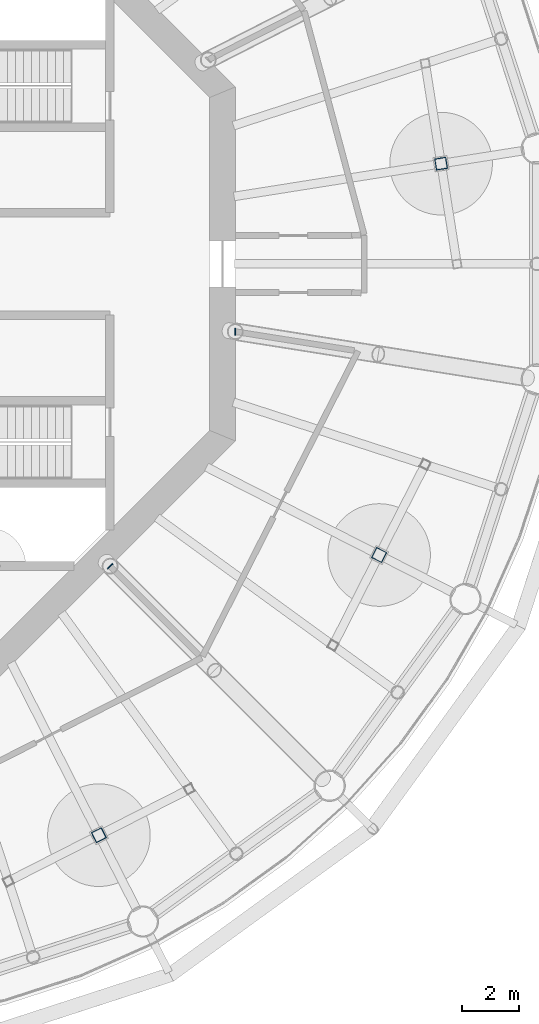
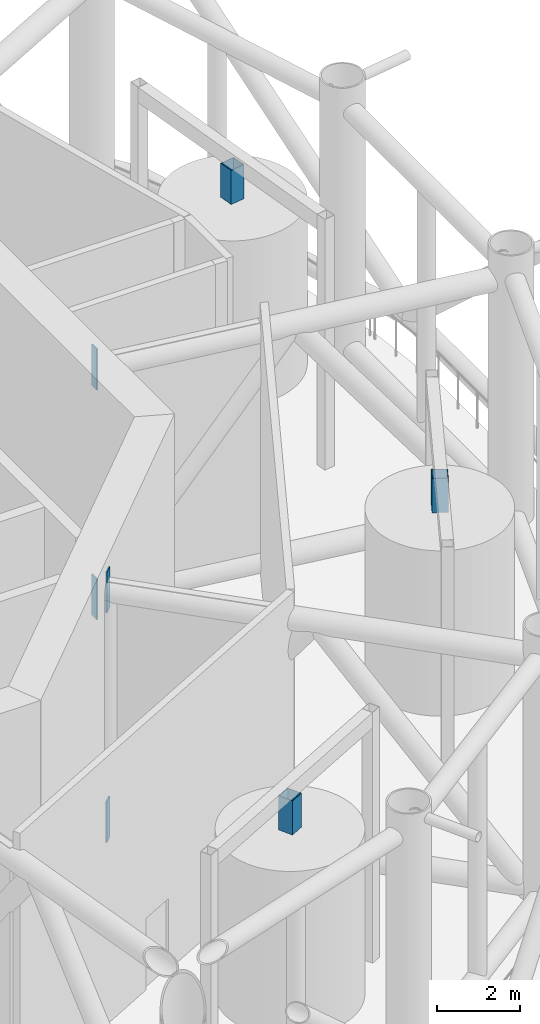
# One storey, part 16 of 22: 7 discrete accessories.
"""IFC4 building model written with IfcOpenShell, lengths in metres."""

from ifc_helpers import new_model, si_unit, direction, frame, origin, origin_2d, place, context, subcontext, project, spatial, rectangle, hollow_rectangle, extrude, material, element, save


model = new_model("IFC4")

# Units and contexts
model_context = context("Model", 3, precision=1e-05, world=origin(), true_north=direction((0.0, 1.0)))
body_context = subcontext(model_context, "Body", "Model", "MODEL_VIEW")
ifc_project = project(units=[si_unit("LENGTHUNIT", "METRE"), si_unit("AREAUNIT", "SQUARE_METRE"), si_unit("VOLUMEUNIT", "CUBIC_METRE"), si_unit("PLANEANGLEUNIT", "RADIAN"), si_unit("MASSUNIT", "GRAM", prefix="KILO")], contexts=[model_context])

# Site, building, storey
site_placement = place(None, origin())
site = spatial("IfcSite", under=ifc_project, at=site_placement, CompositionType="ELEMENT")
building_placement = place(site_placement, origin())
building = spatial("IfcBuilding", under=site, at=building_placement, Name="Entoto Ring Tower", CompositionType="ELEMENT")
storey_placement = place(building_placement, frame((0.0, 0.0, 230.0)))
storey = spatial("IfcBuildingStorey", under=building, at=storey_placement, Name="L53", CompositionType="ELEMENT", Elevation=230.0)

# Discrete accessories
ifc_material = material(Name="Steel S355", Category="steel")
for number, where, z_axis, x_axis, name in (
    (1, (100.606689453125, 69.393310546875, -0.294921875), (0.0, 0.0, 1.0), (0.707106781187, -0.707106781187, 0.0), "Embedded plate L53 bottom 09"),
    (2, (100.606689453125, 69.393310546875, 6.44482421875), (0.0, 0.0, 1.0), (0.707106781187, -0.707106781187, 0.0), "Embedded plate L53 top 09"),
    (3, (105.0, 77.624267578125, -0.294921875), (0.0, 0.0, 1.0), (1.0, 0.0, 0.0), "Embedded plate L53 bottom 10"),
    (4, (105.0, 77.624267578125, 6.44482421875), (0.0, 0.0, 1.0), (1.0, 0.0, 0.0), "Embedded plate L53 top 10"),
):
    element("IfcDiscreteAccessory", number, at=place(storey_placement, frame(where, z_axis=z_axis, x_axis=x_axis)), inside=storey, material=ifc_material, Name=name, PredefinedType="ANCHORPLATE", context=body_context, shape_type="SweptSolid", body=[
        extrude(rectangle(XDim=0.0400390625, YDim=0.25, at=origin_2d()), origin(), (0.0, 0.0, 1.0), 1.199951171875),
    ])
for number, where, z_axis, x_axis, name in (
    (5, (112.222900390625, 83.519775390625, 5.89990234375), (0.0, 0.0, 1.0), (-0.15643446504, 0.987688340595, 0.0), "TURBINE BEARING 1"),
    (6, (100.21484375, 59.952392578125, 5.89990234375), (0.0, 0.0, 1.0), (0.891006524188, 0.45399049974, 0.0), "TURBINE BEARING 7"),
    (7, (110.047607421875, 69.78515625, 5.89990234375), (0.0, 0.0, 1.0), (0.45399049974, 0.891006524188, 0.0), "TURBINE BEARING 8"),
):
    element("IfcDiscreteAccessory", number, at=place(storey_placement, frame(where, z_axis=z_axis, x_axis=x_axis)), inside=storey, material=ifc_material, Name=name, PredefinedType="BRACKET", context=body_context, shape_type="SweptSolid", body=[
        extrude(hollow_rectangle(XDim=0.39990234375, YDim=0.39990234375, WallThickness=0.01611328125, at=origin_2d()), origin(), (0.0, 0.0, 1.0), 1.0),
    ])

save(model, "model.ifc")
